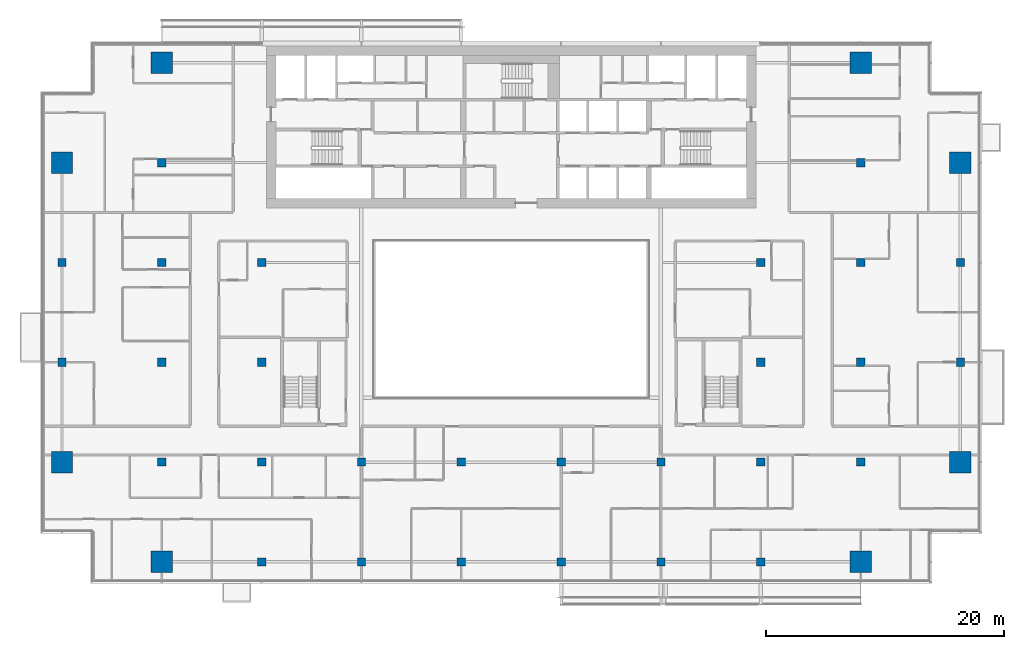
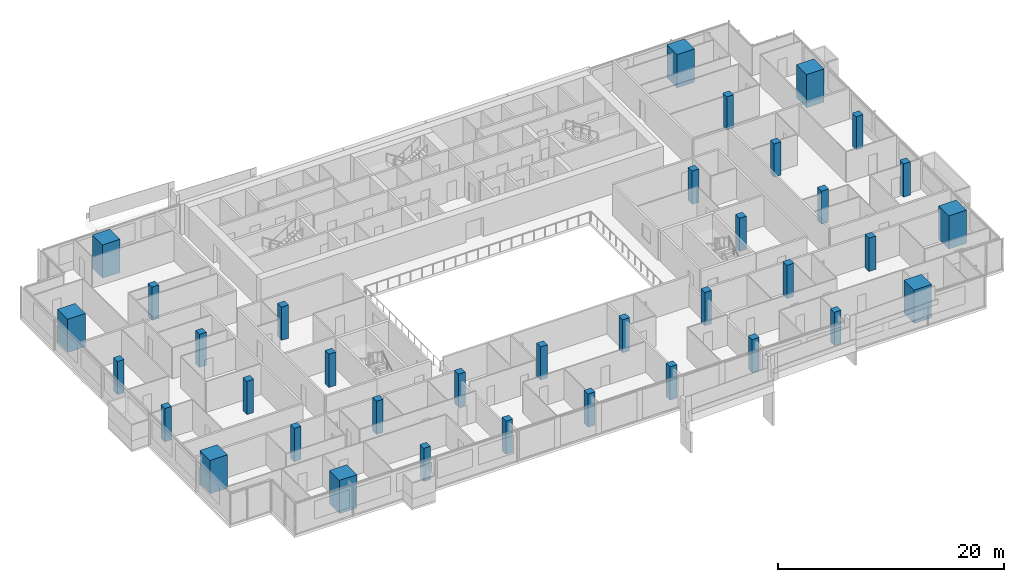
# One storey, part 1 of 28: 36 columns.
"""IFC4 building model written with IfcOpenShell, lengths in metres."""

import ifcopenshell
import ifcopenshell.guid

model = None  # the IFC model being written
_history = None  # IfcOwnerHistory: only IFC2X3 demands one
_inside = {}  # id of a spatial element -> (the spatial element, [elements in it])
_under = {}  # id of a project, library or spatial element -> (it, [spatial elements below it])
_declared = {}  # id of a project -> (the project, [libraries it declares])
_typed = {}  # id of a type object -> (the type object, [elements of that type])
_made_of = {}  # id of a material, layer set ... -> (it, [elements and type objects made of it])


def new_model(schema):
    """Start an empty IFC model of exactly this schema.

    Asked for "IFC4X3", IfcOpenShell would pick the latest addendum, in which some entities
    have other attributes; the version numbers below select the first issue.
    IFC2X3 requires an IfcOwnerHistory on every rooted entity: one is made here for all.
    """
    global model, _history
    if schema == "IFC4X3":
        model = ifcopenshell.file(schema_version=(4, 3, 0, 0))
    else:
        model = ifcopenshell.file(schema=schema)
    _inside.clear()
    _under.clear()
    _declared.clear()
    _typed.clear()
    _made_of.clear()
    _history = None
    if model.schema == "IFC2X3":
        org = make("IfcOrganization", Name="unknown")
        user = make(
            "IfcPersonAndOrganization",
            ThePerson=make("IfcPerson", FamilyName="unknown"),
            TheOrganization=org,
        )
        app = make(
            "IfcApplication",
            ApplicationDeveloper=org,
            Version="unknown",
            ApplicationFullName="unknown",
            ApplicationIdentifier="unknown",
        )
        _history = make(
            "IfcOwnerHistory",
            OwningUser=user,
            OwningApplication=app,
            ChangeAction="ADDED",
            CreationDate=0,
        )
    return model


def make(cls, **values):
    """One entity of the class cls with the attributes given. An attribute that is None is left unset."""
    return model.create_entity(
        cls, **{name: value for name, value in values.items() if value is not None}
    )


def rooted(cls, **values):
    """An entity with a GlobalId (a new one), such as an element, a storey or a relation."""
    return make(cls, GlobalId=ifcopenshell.guid.new(), OwnerHistory=_history, **values)


def si_unit(unit_type, name, prefix=None):
    """IfcSIUnit, for example si_unit("LENGTHUNIT", "METRE", prefix="MILLI")."""
    return make("IfcSIUnit", UnitType=unit_type, Prefix=prefix, Name=name)


def assignment(units):
    """IfcUnitAssignment: the units of a project."""
    return None if units is None else make("IfcUnitAssignment", Units=units)


def point(xyz):
    """IfcCartesianPoint."""
    return None if xyz is None else make("IfcCartesianPoint", Coordinates=xyz)


def direction(xyz):
    """IfcDirection."""
    return None if xyz is None else make("IfcDirection", DirectionRatios=xyz)


def frame(location, z_axis=None, x_axis=None):
    """IfcAxis2Placement3D, a coordinate frame: its origin and axes. An axis left out is left unset."""
    return make(
        "IfcAxis2Placement3D",
        Location=point(location),
        Axis=direction(z_axis),
        RefDirection=direction(x_axis),
    )


def frame_2d(location, x_axis=None):
    """IfcAxis2Placement2D, a coordinate frame in the plane: its origin and x axis."""
    return make(
        "IfcAxis2Placement2D", Location=point(location), RefDirection=direction(x_axis)
    )


def origin():
    """The frame at (0, 0, 0) with its axes left unset."""
    return frame((0.0, 0.0, 0.0))


def origin_2d():
    """The frame at (0, 0) in the plane with its x axis left unset."""
    return frame_2d((0.0, 0.0))


def place(relative_to, where):
    """IfcLocalPlacement: puts the frame where relative to a parent placement (None: the world)."""
    return make(
        "IfcLocalPlacement", PlacementRelTo=relative_to, RelativePlacement=where
    )


def context(
    kind, dimensions, precision=None, world=None, true_north=None, identifier=None
):
    """IfcGeometricRepresentationContext, for example the 3D "Model" context."""
    return make(
        "IfcGeometricRepresentationContext",
        ContextIdentifier=identifier,
        ContextType=kind,
        CoordinateSpaceDimension=dimensions,
        Precision=precision,
        WorldCoordinateSystem=world,
        TrueNorth=true_north,
    )


def subcontext(parent, identifier, kind, view, scale=None):
    """IfcGeometricRepresentationSubContext, for example "Body" below "Model"."""
    return make(
        "IfcGeometricRepresentationSubContext",
        ContextIdentifier=identifier,
        ContextType=kind,
        ParentContext=parent,
        TargetScale=scale,
        TargetView=view,
    )


def project(units=None, contexts=None):
    """IfcProject with its units and contexts."""
    return rooted(
        "IfcProject",
        Name="project",
        RepresentationContexts=contexts,
        UnitsInContext=assignment(units),
    )


def spatial(cls, under=None, at=None, **own):
    """A site, building, storey or space (cls), placed at a placement, below another one or the project."""
    s = rooted(cls, ObjectPlacement=at, **own)
    if under is not None:
        _under.setdefault(under.id(), (under, []))[1].append(s)
    return s


def profile(cls, at=None, kind="AREA", **sizes):
    """A parametric profile (cls). Its sizes go by their IFC names, for example OverallWidth=200.0."""
    return make(cls, ProfileType=kind, Position=at, **sizes)


def rectangle(**sizes):
    """IfcRectangleProfileDef."""
    return profile("IfcRectangleProfileDef", **sizes)


def extrude(swept, where, along, depth):
    """IfcExtrudedAreaSolid: the profile swept, set in the frame where, extruded along a direction by depth."""
    return make(
        "IfcExtrudedAreaSolid",
        SweptArea=swept,
        Position=where,
        ExtrudedDirection=direction(along),
        Depth=depth,
    )


def shape(context_of_items, identifier, shape_type, items):
    """IfcShapeRepresentation: the items that make up one representation, for example the "Body"."""
    return make(
        "IfcShapeRepresentation",
        ContextOfItems=context_of_items,
        RepresentationIdentifier=identifier,
        RepresentationType=shape_type,
        Items=items,
    )


def material(Name=None, Category=None):
    """IfcMaterial."""
    return make("IfcMaterial", Name=Name, Category=Category)


def material_profile(
    of_material, cross_section, Name=None, Category=None, Priority=None
):
    """IfcMaterialProfile: a cross section and its material."""
    return make(
        "IfcMaterialProfile",
        Name=Name,
        Material=of_material,
        Profile=cross_section,
        Priority=Priority,
        Category=Category,
    )


def profile_set(profiles, Name=None, composite=None):
    """IfcMaterialProfileSet."""
    return make(
        "IfcMaterialProfileSet",
        Name=Name,
        MaterialProfiles=profiles,
        CompositeProfile=composite,
    )


def made_of(thing, what):
    """Note that an element or type object is made of a material, layer set ...; save() writes the relation."""
    if what is not None:
        _made_of.setdefault(what.id(), (what, []))[1].append(thing)
    return thing


def type_object(cls, material=None, **own):
    """A type object (cls), such as IfcWallType, which elements share."""
    return made_of(rooted(cls, **own), material)


def element(
    cls,
    number,
    at=None,
    inside=None,
    cuts=None,
    type_object=None,
    material=None,
    context=None,
    identifier="Body",
    shape_type=None,
    held_by="IfcProductDefinitionShape",
    body=None,
    shapes=None,
    **own,
):
    """One element of the class cls, such as IfcWall. Its Tag is "e" and its number.

    at: its placement. inside: the storey or other place that contains it. cuts: it is an
    opening in that element (IfcRelVoidsElement). A single representation is given by context,
    identifier, shape_type and body (its items); several are given by shapes. held_by: the class
    of the entity that holds the representations. save() writes the other relations.
    """
    e = rooted(cls, Tag="e%d" % number, ObjectPlacement=at, **own)
    if body is not None:
        shapes = [shape(context, identifier, shape_type, body)]
    if shapes is not None:
        e.Representation = make(held_by, Representations=shapes)
    if inside is not None:
        _inside.setdefault(inside.id(), (inside, []))[1].append(e)
    if cuts is not None:
        rooted(
            "IfcRelVoidsElement", RelatingBuildingElement=cuts, RelatedOpeningElement=e
        )
    if type_object is not None:
        _typed.setdefault(type_object.id(), (type_object, []))[1].append(e)
    return made_of(e, material)


def aggregate(whole, parts):
    """IfcRelAggregates: a whole, such as a stair, and the parts it consists of."""
    return rooted("IfcRelAggregates", RelatingObject=whole, RelatedObjects=parts)


def save(model, path):
    """Write the relations noted so far, then the file.

    IfcRelAggregates (storeys below a building ...), IfcRelContainedInSpatialStructure (elements
    in a storey), IfcRelDefinesByType, IfcRelAssociatesMaterial and IfcRelDeclares: one each for
    every whole, place, type object, material and project.
    """
    for whole, parts in _under.values():
        aggregate(whole, parts)
    for where, things in _inside.values():
        rooted(
            "IfcRelContainedInSpatialStructure",
            RelatedElements=things,
            RelatingStructure=where,
        )
    for kind, things in _typed.values():
        rooted("IfcRelDefinesByType", RelatedObjects=things, RelatingType=kind)
    for what, things in _made_of.values():
        rooted("IfcRelAssociatesMaterial", RelatedObjects=things, RelatingMaterial=what)
    for by, libraries in _declared.values():
        rooted("IfcRelDeclares", RelatingContext=by, RelatedDefinitions=libraries)
    model.write(path)


model = new_model("IFC4")

# Units and contexts
model_context = context("Model", 3, precision=1e-05, world=origin(), true_north=direction((0.0, 1.0)))
body_context = subcontext(model_context, "Body", "Model", "MODEL_VIEW")
ifc_project = project(units=[si_unit("LENGTHUNIT", "METRE"), si_unit("AREAUNIT", "SQUARE_METRE"), si_unit("VOLUMEUNIT", "CUBIC_METRE"), si_unit("PLANEANGLEUNIT", "RADIAN"), si_unit("MASSUNIT", "GRAM", prefix="KILO")], contexts=[model_context])

# Site, building, storey
site_placement = place(None, origin())
site = spatial("IfcSite", under=ifc_project, at=site_placement, CompositionType="ELEMENT")
building_placement = place(site_placement, origin())
building = spatial("IfcBuilding", under=site, at=building_placement, Name="Saffron Gate Tower", CompositionType="ELEMENT")
storey_placement = place(building_placement, frame((0.0, 0.0, 176.25)))
storey = spatial("IfcBuildingStorey", under=building, at=storey_placement, Name="L43", CompositionType="ELEMENT", Elevation=176.25)

# Columns
ifc_material_1 = material(Name="Concrete C50", Category="concrete")
ifc_material_profile_1 = material_profile(ifc_material_1, rectangle(XDim=0.699951171875, YDim=0.699951171875, at=origin_2d()))
ifc_profile_set_1 = profile_set([ifc_material_profile_1], Name="Concrete C50")
column_type_1 = type_object("IfcColumnType", Name="C3 RC 700x700 CONCRETE C50", PredefinedType="COLUMN", material=ifc_profile_set_1)
for number, where, z_axis, x_axis, name in (
    (1, (49.800048828125, 48.60009765625, 0.0), (0.0, 0.0, 1.0), (1.0, 0.0, 0.0), "C3 COLUMN X1-C"),
    (2, (49.800048828125, 57.0, 0.0), (0.0, 0.0, 1.0), (1.0, 0.0, 0.0), "C3 COLUMN X1-D"),
    (3, (58.199951171875, 40.199951171875, 0.0), (0.0, 0.0, 1.0), (1.0, 0.0, 0.0), "C3 COLUMN X2-B"),
    (4, (58.199951171875, 48.60009765625, 0.0), (0.0, 0.0, 1.0), (1.0, 0.0, 0.0), "C3 COLUMN X2-C"),
    (5, (58.199951171875, 57.0, 0.0), (0.0, 0.0, 1.0), (1.0, 0.0, 0.0), "C3 COLUMN X2-D"),
    (6, (58.199951171875, 65.39990234375, 0.0), (0.0, 0.0, 1.0), (1.0, 0.0, 0.0), "C3 COLUMN X2-E"),
    (7, (66.60009765625, 31.800048828125, 0.0), (0.0, 0.0, 1.0), (1.0, 0.0, 0.0), "C3 COLUMN X3-A"),
    (8, (66.60009765625, 40.199951171875, 0.0), (0.0, 0.0, 1.0), (1.0, 0.0, 0.0), "C3 COLUMN X3-B"),
    (9, (66.60009765625, 48.60009765625, 0.0), (0.0, 0.0, 1.0), (1.0, 0.0, 0.0), "C3 COLUMN X3-C"),
    (10, (66.60009765625, 57.0, 0.0), (0.0, 0.0, 1.0), (1.0, 0.0, 0.0), "C3 COLUMN X3-D"),
    (11, (75.0, 31.800048828125, 0.0), (0.0, 0.0, 1.0), (1.0, 0.0, 0.0), "C3 COLUMN X4-A"),
    (12, (75.0, 40.199951171875, 0.0), (0.0, 0.0, 1.0), (1.0, 0.0, 0.0), "C3 COLUMN X4-B"),
    (13, (83.39990234375, 31.800048828125, 0.0), (0.0, 0.0, 1.0), (1.0, 0.0, 0.0), "C3 COLUMN X5-A"),
    (14, (83.39990234375, 40.199951171875, 0.0), (0.0, 0.0, 1.0), (1.0, 0.0, 0.0), "C3 COLUMN X5-B"),
    (15, (91.800048828125, 31.800048828125, 0.0), (0.0, 0.0, 1.0), (1.0, 0.0, 0.0), "C3 COLUMN X6-A"),
    (16, (91.800048828125, 40.199951171875, 0.0), (0.0, 0.0, 1.0), (1.0, 0.0, 0.0), "C3 COLUMN X6-B"),
    (17, (100.199951171875, 31.800048828125, 0.0), (0.0, 0.0, 1.0), (1.0, 0.0, 0.0), "C3 COLUMN X7-A"),
    (18, (100.199951171875, 40.199951171875, 0.0), (0.0, 0.0, 1.0), (1.0, 0.0, 0.0), "C3 COLUMN X7-B"),
    (19, (108.60009765625, 31.800048828125, 0.0), (0.0, 0.0, 1.0), (1.0, 0.0, 0.0), "C3 COLUMN X8-A"),
    (20, (108.60009765625, 40.199951171875, 0.0), (0.0, 0.0, 1.0), (1.0, 0.0, 0.0), "C3 COLUMN X8-B"),
    (21, (108.60009765625, 48.60009765625, 0.0), (0.0, 0.0, 1.0), (1.0, 0.0, 0.0), "C3 COLUMN X8-C"),
    (22, (108.60009765625, 57.0, 0.0), (0.0, 0.0, 1.0), (1.0, 0.0, 0.0), "C3 COLUMN X8-D"),
    (23, (117.0, 40.199951171875, 0.0), (0.0, 0.0, 1.0), (1.0, 0.0, 0.0), "C3 COLUMN X9-B"),
    (24, (117.0, 48.60009765625, 0.0), (0.0, 0.0, 1.0), (1.0, 0.0, 0.0), "C3 COLUMN X9-C"),
    (25, (117.0, 57.0, 0.0), (0.0, 0.0, 1.0), (1.0, 0.0, 0.0), "C3 COLUMN X9-D"),
    (26, (117.0, 65.39990234375, 0.0), (0.0, 0.0, 1.0), (1.0, 0.0, 0.0), "C3 COLUMN X9-E"),
    (27, (125.39990234375, 48.60009765625, 0.0), (0.0, 0.0, 1.0), (1.0, 0.0, 0.0), "C3 COLUMN X10-C"),
    (28, (125.39990234375, 57.0, 0.0), (0.0, 0.0, 1.0), (1.0, 0.0, 0.0), "C3 COLUMN X10-D"),
):
    element("IfcColumn", number, at=place(storey_placement, frame(where, z_axis=z_axis, x_axis=x_axis)), inside=storey, type_object=column_type_1, Name=name, PredefinedType="COLUMN", context=body_context, shape_type="SweptSolid", body=[
        extrude(rectangle(XDim=0.699951171875, YDim=0.699951171875, at=origin_2d()), origin(), (0.0, 0.0, 1.0), 3.60009765625),
    ])
ifc_material_2 = material(Name="Concrete C70", Category="concrete")
ifc_material_profile_2 = material_profile(ifc_material_2, rectangle(XDim=1.800048828125, YDim=1.800048828125, at=origin_2d()))
ifc_profile_set_2 = profile_set([ifc_material_profile_2], Name="Concrete C70")
column_type_2 = type_object("IfcColumnType", Name="MC2 RC 1800x1800 CONCRETE C70", PredefinedType="COLUMN", material=ifc_profile_set_2)
for number, where, z_axis, x_axis, name in (
    (29, (49.800048828125, 40.199951171875, 0.0), (0.0, 0.0, 1.0), (1.0, 0.0, 0.0), "MC2 MEGA COLUMN X1-B"),
    (30, (49.800048828125, 65.39990234375, 0.0), (0.0, 0.0, 1.0), (1.0, 0.0, 0.0), "MC2 MEGA COLUMN X1-E"),
    (31, (58.199951171875, 31.800048828125, 0.0), (0.0, 0.0, 1.0), (1.0, 0.0, 0.0), "MC2 MEGA COLUMN X2-A"),
    (32, (58.199951171875, 73.800048828125, 0.0), (0.0, 0.0, 1.0), (1.0, 0.0, 0.0), "MC2 MEGA COLUMN X2-F"),
    (33, (117.0, 31.800048828125, 0.0), (0.0, 0.0, 1.0), (1.0, 0.0, 0.0), "MC2 MEGA COLUMN X9-A"),
    (34, (117.0, 73.800048828125, 0.0), (0.0, 0.0, 1.0), (1.0, 0.0, 0.0), "MC2 MEGA COLUMN X9-F"),
    (35, (125.39990234375, 40.199951171875, 0.0), (0.0, 0.0, 1.0), (1.0, 0.0, 0.0), "MC2 MEGA COLUMN X10-B"),
    (36, (125.39990234375, 65.39990234375, 0.0), (0.0, 0.0, 1.0), (1.0, 0.0, 0.0), "MC2 MEGA COLUMN X10-E"),
):
    element("IfcColumn", number, at=place(storey_placement, frame(where, z_axis=z_axis, x_axis=x_axis)), inside=storey, type_object=column_type_2, Name=name, PredefinedType="COLUMN", context=body_context, shape_type="SweptSolid", body=[
        extrude(rectangle(XDim=1.800048828125, YDim=1.800048828125, at=origin_2d()), origin(), (0.0, 0.0, 1.0), 3.60009765625),
    ])

save(model, "model.ifc")
